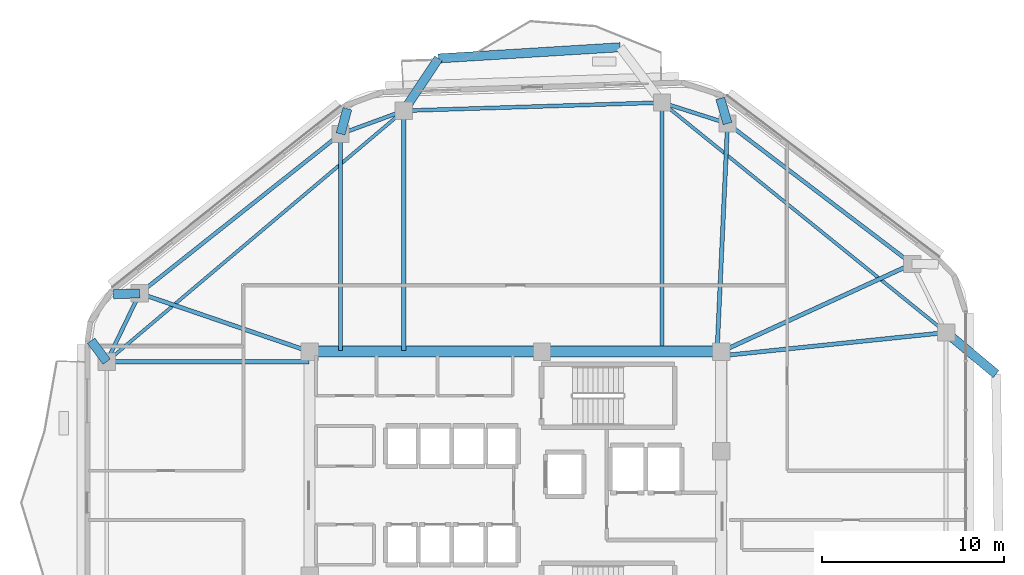
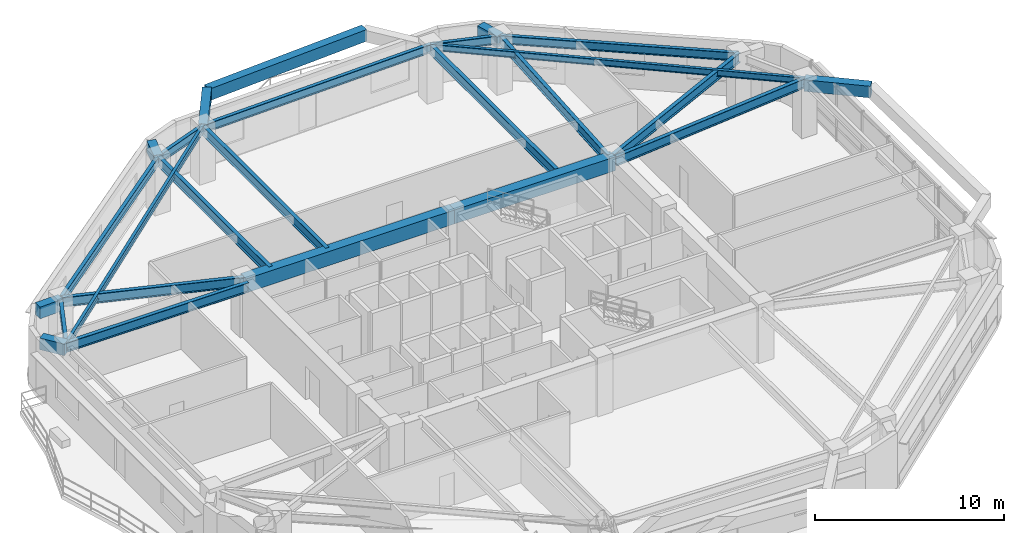
# One storey, part 5 of 14: 25 beams.
"""IFC4 building model written with IfcOpenShell, lengths in metres."""

from ifc_helpers import new_model, si_unit, direction, frame, origin, origin_2d, place, context, subcontext, project, spatial, rectangle, i_section, extrude, material, material_profile, profile_set, type_object, element, save


model = new_model("IFC4")

# Units and contexts
model_context = context("Model", 3, precision=1e-05, world=origin(), true_north=direction((0.0, 1.0)))
body_context = subcontext(model_context, "Body", "Model", "MODEL_VIEW")
ifc_project = project(units=[si_unit("LENGTHUNIT", "METRE"), si_unit("AREAUNIT", "SQUARE_METRE"), si_unit("VOLUMEUNIT", "CUBIC_METRE"), si_unit("PLANEANGLEUNIT", "RADIAN"), si_unit("MASSUNIT", "GRAM", prefix="KILO")], contexts=[model_context])

# Site, building, storey
site_placement = place(None, origin())
site = spatial("IfcSite", under=ifc_project, at=site_placement, CompositionType="ELEMENT")
building_placement = place(site_placement, origin())
building = spatial("IfcBuilding", under=site, at=building_placement, Name="Zulverin Broadcast Headquarters", CompositionType="ELEMENT")
storey_placement = place(building_placement, frame((0.0, 0.0, 178.199951171875)))
storey = spatial("IfcBuildingStorey", under=building, at=storey_placement, Name="L45", CompositionType="ELEMENT", Elevation=178.199951171875)

# Beams
ifc_material_1 = material(Name="Concrete C60/75", Category="concrete")
ifc_material_profile_1 = material_profile(ifc_material_1, rectangle(XDim=0.60009765625, YDim=0.89990234375, at=origin_2d()), Name="Concrete C60/75", Category="concrete")
ifc_profile_set_1 = profile_set([ifc_material_profile_1], Name="Concrete C60/75")
beam_type_1 = type_object("IfcBeamType", Name="BM-CB-600x900", PredefinedType="LINTEL", material=ifc_profile_set_1)
beam_1_placement = place(storey_placement, frame((48.27490234375, 33.074951171875, 3.090087890625), z_axis=(-1.0, 0.0, 0.0), x_axis=(0.0, -1.0, 0.0)))
element("IfcBeam", 1, at=beam_1_placement, inside=storey, type_object=beam_type_1, Name="L45 Core Coupling Girder K05-K06", PredefinedType="LINTEL", context=body_context, shape_type="SweptSolid", body=[
    extrude(rectangle(XDim=0.60009765625, YDim=0.89990234375, at=origin_2d()), origin(), (0.0, 0.0, 1.0), 9.824951171875),
])
beam_2_placement = place(storey_placement, frame((38.449951171875, 33.074951171875, 3.090087890625), z_axis=(-1.0, 0.0, 0.0), x_axis=(0.0, -1.0, 0.0)))
element("IfcBeam", 2, at=beam_2_placement, inside=storey, type_object=beam_type_1, Name="L45 Core Coupling Girder K06-K07", PredefinedType="LINTEL", context=body_context, shape_type="SweptSolid", body=[
    extrude(rectangle(XDim=0.60009765625, YDim=0.89990234375, at=origin_2d()), origin(), (0.0, 0.0, 1.0), 12.724853515625),
])
ifc_material_2 = material(Name="Concrete C40/50", Category="concrete")
ifc_material_profile_2 = material_profile(ifc_material_2, rectangle(XDim=0.5, YDim=0.75, at=origin_2d()), Name="Concrete C40/50", Category="concrete")
ifc_profile_set_2 = profile_set([ifc_material_profile_2], Name="Concrete C40/50")
beam_type_2 = type_object("IfcBeamType", Name="BM-RC-500x750", PredefinedType="BEAM", material=ifc_profile_set_2)
for number, where, z_axis, x_axis, name in (
    (3, (48.62158203125, 45.574951171875, 3.1650390625), (-0.28015077605, 0.959956010804, 0.0), (-0.959956010804, -0.28015077605, 0.0), "L46 Plate Overhang Back-Spanned Beam OVR-08"),
    (4, (27.416259765625, 45.00439453125, 3.1650390625), (0.260328526912, 0.965520097189, 0.0), (-0.965520097189, 0.260328526912, 0.0), "L46 Plate Overhang Back-Spanned Beam OVR-11"),
):
    element("IfcBeam", number, at=place(storey_placement, frame(where, z_axis=z_axis, x_axis=x_axis)), inside=storey, type_object=beam_type_2, Name=name, PredefinedType="BEAM", context=body_context, shape_type="SweptSolid", body=[
        extrude(rectangle(XDim=0.5, YDim=0.75, at=origin_2d()), origin(), (0.0, 0.0, 1.0), 1.43017578125),
    ])
for number, where, z_axis, x_axis, name in (
    (5, (16.40869140625, 36.26806640625, 3.1650390625), (-0.999411057508, -0.034315275463, 0.0), (0.034315275463, -0.999411057508, 0.0), "L46 Plate Overhang Back-Spanned Beam OVR-12"),
    (6, (14.60009765625, 32.523193359375, 3.1650390625), (-0.594467864193, 0.804119368279, 0.0), (-0.804119368279, -0.594467864193, 0.0), "L46 Plate Overhang Back-Spanned Beam OVR-13"),
):
    element("IfcBeam", number, at=place(storey_placement, frame(where, z_axis=z_axis, x_axis=x_axis)), inside=storey, type_object=beam_type_2, Name=name, PredefinedType="BEAM", context=body_context, shape_type="SweptSolid", body=[
        extrude(rectangle(XDim=0.5, YDim=0.75, at=origin_2d()), origin(), (0.0, 0.0, 1.0), 1.429931640625),
    ])
beam_3_placement = place(storey_placement, frame((60.60009765625, 34.12158203125, 3.1650390625), z_axis=(0.768429187848, -0.639934827356, 0.0), x_axis=(0.639934827356, 0.768429187848, 0.0)))
element("IfcBeam", 7, at=beam_3_placement, inside=storey, type_object=beam_type_2, Name="L46 Balcony Column-Framed Cantilever BAL_E-2", PredefinedType="BEAM", context=body_context, shape_type="SweptSolid", body=[
    extrude(rectangle(XDim=0.5, YDim=0.75, at=origin_2d()), origin(), (0.0, 0.0, 1.0), 3.560546875),
])
beam_4_placement = place(storey_placement, frame((30.882080078125, 46.27490234375, 3.1650390625), z_axis=(0.552025267535, 0.833827382618, 0.0), x_axis=(-0.833827382618, 0.552025267535, 0.0)))
element("IfcBeam", 8, at=beam_4_placement, inside=storey, type_object=beam_type_2, Name="L46 Balcony Column-Framed Cantilever BAL_N-2", PredefinedType="BEAM", context=body_context, shape_type="SweptSolid", body=[
    extrude(rectangle(XDim=0.5, YDim=0.75, at=origin_2d()), origin(), (0.0, 0.0, 1.0), 3.436767578125),
])
beam_5_placement = place(storey_placement, frame((42.7333984375, 49.7529296875, 3.1650390625), z_axis=(-0.998113439665, -0.06139675529, 0.0), x_axis=(0.06139675529, -0.998113439665, 0.0)))
element("IfcBeam", 9, at=beam_5_placement, inside=storey, type_object=beam_type_2, Name="L46 Balcony Outer Edge Trimmer Beam BAL_N", PredefinedType="BEAM", context=body_context, shape_type="SweptSolid", body=[
    extrude(rectangle(XDim=0.5, YDim=0.75, at=origin_2d()), origin(), (0.0, 0.0, 1.0), 9.972900390625),
])
ifc_material_3 = material(Name="Structural steel S355JR", Category="steel")
ifc_material_profile_3 = material_profile(ifc_material_3, i_section(OverallWidth=0.179443359375, OverallDepth=0.412841796875, WebThickness=0.009521484375, FlangeThickness=0.01611328125, at=origin_2d()), Name="Structural steel S355JR", Category="steel")
ifc_profile_set_3 = profile_set([ifc_material_profile_3], Name="Structural steel S355JR")
beam_type_3 = type_object("IfcBeamType", Name="BM-UB-406", PredefinedType="JOIST", material=ifc_profile_set_3)
beam_6_placement = place(storey_placement, frame((60.60009765625, 34.12158203125, 3.333740234375), z_axis=(-0.777349017335, 0.629069555175, 0.0), x_axis=(-0.629069555175, -0.777349017335, 0.0)))
element("IfcBeam", 10, at=beam_6_placement, inside=storey, type_object=beam_type_3, Name="L45 Chordal Floor Joist J-02", PredefinedType="JOIST", context=body_context, shape_type="SweptSolid", body=[
    extrude(i_section(OverallWidth=0.179443359375, OverallDepth=0.412841796875, WebThickness=0.009521484375, FlangeThickness=0.01611328125, at=origin_2d()), origin(), (0.0, 0.0, 1.0), 20.032958984375),
])
beam_7_placement = place(storey_placement, frame((30.882080078125, 46.27490234375, 3.333740234375), z_axis=(-0.763972566446, -0.645248725468, 0.0), x_axis=(0.645248725468, -0.763972566446, 0.0)))
element("IfcBeam", 11, at=beam_7_placement, inside=storey, type_object=beam_type_3, Name="L45 Chordal Floor Joist J-03", PredefinedType="JOIST", context=body_context, shape_type="SweptSolid", body=[
    extrude(i_section(OverallWidth=0.179443359375, OverallDepth=0.412841796875, WebThickness=0.009521484375, FlangeThickness=0.01611328125, at=origin_2d()), origin(), (0.0, 0.0, 1.0), 21.312255859375),
])
ifc_material_profile_4 = material_profile(ifc_material_3, i_section(OverallWidth=0.2119140625, OverallDepth=0.54443359375, WebThickness=0.0126953125, FlangeThickness=0.021240234375, at=origin_2d()), Name="Structural steel S355JR", Category="steel")
ifc_profile_set_4 = profile_set([ifc_material_profile_4], Name="Structural steel S355JR")
beam_type_4 = type_object("IfcBeamType", Name="BM-UB-533", PredefinedType="SPANDREL", material=ifc_profile_set_4)
beam_8_placement = place(storey_placement, frame((58.738037109375, 37.877685546875, 3.267822265625), z_axis=(-0.795830102505, 0.60551998146, 0.0), x_axis=(-0.60551998146, -0.795830102505, 0.0)))
element("IfcBeam", 12, at=beam_8_placement, inside=storey, type_object=beam_type_4, Name="L45 Perimeter Spandrel Beam SP-07", PredefinedType="SPANDREL", context=body_context, shape_type="SweptSolid", body=[
    extrude(i_section(OverallWidth=0.2119140625, OverallDepth=0.54443359375, WebThickness=0.0126953125, FlangeThickness=0.021240234375, at=origin_2d()), origin(), (0.0, 0.0, 1.0), 12.7119140625),
])
beam_9_placement = place(storey_placement, frame((48.62158203125, 45.574951171875, 3.267822265625), z_axis=(-0.952531523781, 0.304439971428, 0.0), x_axis=(-0.304439971428, -0.952531523781, 0.0)))
element("IfcBeam", 13, at=beam_9_placement, inside=storey, type_object=beam_type_4, Name="L45 Perimeter Spandrel Beam SP-08", PredefinedType="SPANDREL", context=body_context, shape_type="SweptSolid", body=[
    extrude(i_section(OverallWidth=0.2119140625, OverallDepth=0.54443359375, WebThickness=0.0126953125, FlangeThickness=0.021240234375, at=origin_2d()), origin(), (0.0, 0.0, 1.0), 3.773193359375),
])
beam_10_placement = place(storey_placement, frame((45.027587890625, 46.7236328125, 3.267822265625), z_axis=(-0.999497221833, -0.031706522156, 0.0), x_axis=(0.031706522156, -0.999497221833, 0.0)))
element("IfcBeam", 14, at=beam_10_placement, inside=storey, type_object=beam_type_4, Name="L45 Perimeter Spandrel Beam SP-09", PredefinedType="SPANDREL", context=body_context, shape_type="SweptSolid", body=[
    extrude(i_section(OverallWidth=0.2119140625, OverallDepth=0.54443359375, WebThickness=0.0126953125, FlangeThickness=0.021240234375, at=origin_2d()), origin(), (0.0, 0.0, 1.0), 14.152587890625),
])
beam_11_placement = place(storey_placement, frame((30.882080078125, 46.27490234375, 3.267822265625), z_axis=(-0.938901965426, -0.344184687805, 0.0), x_axis=(0.344184687805, -0.938901965426, 0.0)))
element("IfcBeam", 15, at=beam_11_placement, inside=storey, type_object=beam_type_4, Name="L45 Perimeter Spandrel Beam SP-10", PredefinedType="SPANDREL", context=body_context, shape_type="SweptSolid", body=[
    extrude(i_section(OverallWidth=0.2119140625, OverallDepth=0.54443359375, WebThickness=0.0126953125, FlangeThickness=0.021240234375, at=origin_2d()), origin(), (0.0, 0.0, 1.0), 3.69140625),
])
beam_12_placement = place(storey_placement, frame((27.416259765625, 45.00439453125, 3.267822265625), z_axis=(-0.783283263401, -0.621664965457, 0.0), x_axis=(0.621664965457, -0.783283263401, 0.0)))
element("IfcBeam", 16, at=beam_12_placement, inside=storey, type_object=beam_type_4, Name="L45 Perimeter Spandrel Beam SP-11", PredefinedType="SPANDREL", context=body_context, shape_type="SweptSolid", body=[
    extrude(i_section(OverallWidth=0.2119140625, OverallDepth=0.54443359375, WebThickness=0.0126953125, FlangeThickness=0.021240234375, at=origin_2d()), origin(), (0.0, 0.0, 1.0), 14.05322265625),
])
beam_13_placement = place(storey_placement, frame((16.40869140625, 36.26806640625, 3.267822265625), z_axis=(-0.434890248034, -0.900483465792, 0.0), x_axis=(0.900483465792, -0.434890248034, 0.0)))
element("IfcBeam", 17, at=beam_13_placement, inside=storey, type_object=beam_type_4, Name="L45 Perimeter Spandrel Beam SP-12", PredefinedType="SPANDREL", context=body_context, shape_type="SweptSolid", body=[
    extrude(i_section(OverallWidth=0.2119140625, OverallDepth=0.54443359375, WebThickness=0.0126953125, FlangeThickness=0.021240234375, at=origin_2d()), origin(), (0.0, 0.0, 1.0), 4.15869140625),
])
ifc_material_profile_5 = material_profile(ifc_material_3, i_section(OverallWidth=0.230224609375, OverallDepth=0.6171875, WebThickness=0.01318359375, FlangeThickness=0.022216796875, at=origin_2d()), Name="Structural steel S355JR", Category="steel")
ifc_profile_set_5 = profile_set([ifc_material_profile_5], Name="Structural steel S355JR")
beam_type_5 = type_object("IfcBeamType", Name="BM-UB-610", PredefinedType="BEAM", material=ifc_profile_set_5)
beam_14_placement = place(storey_placement, frame((48.324951171875, 32.85009765625, 3.2314453125), z_axis=(0.994678169641, 0.103030766473, 0.0), x_axis=(-0.103030766473, 0.994678169641, 0.0)))
element("IfcBeam", 18, at=beam_14_placement, inside=storey, type_object=beam_type_5, Name="L45 Radial Primary Floor Beam RB-06", PredefinedType="BEAM", context=body_context, shape_type="SweptSolid", body=[
    extrude(i_section(OverallWidth=0.230224609375, OverallDepth=0.6171875, WebThickness=0.01318359375, FlangeThickness=0.022216796875, at=origin_2d()), origin(), (0.0, 0.0, 1.0), 12.3408203125),
])
beam_15_placement = place(storey_placement, frame((48.27490234375, 33.074951171875, 3.2314453125), z_axis=(0.90883007293, 0.417166511764, 0.0), x_axis=(-0.417166511764, 0.90883007293, 0.0)))
element("IfcBeam", 19, at=beam_15_placement, inside=storey, type_object=beam_type_5, Name="L45 Radial Primary Floor Beam RB-07", PredefinedType="BEAM", context=body_context, shape_type="SweptSolid", body=[
    extrude(i_section(OverallWidth=0.230224609375, OverallDepth=0.6171875, WebThickness=0.01318359375, FlangeThickness=0.022216796875, at=origin_2d()), origin(), (0.0, 0.0, 1.0), 11.5126953125),
])
beam_16_placement = place(storey_placement, frame((48.050048828125, 33.125, 3.2314453125), z_axis=(0.045858166026, 0.998947960911, 0.0), x_axis=(-0.998947960911, 0.045858166026, 0.0)))
element("IfcBeam", 20, at=beam_16_placement, inside=storey, type_object=beam_type_5, Name="L45 Radial Primary Floor Beam RB-08", PredefinedType="BEAM", context=body_context, shape_type="SweptSolid", body=[
    extrude(i_section(OverallWidth=0.230224609375, OverallDepth=0.6171875, WebThickness=0.01318359375, FlangeThickness=0.022216796875, at=origin_2d()), origin(), (0.0, 0.0, 1.0), 12.463134765625),
])
beam_17_placement = place(storey_placement, frame((45.027587890625, 33.125, 3.2314453125), z_axis=(0.0, 1.0, 0.0), x_axis=(-1.0, 0.0, 0.0)))
element("IfcBeam", 21, at=beam_17_placement, inside=storey, type_object=beam_type_5, Name="L45 Radial Primary Floor Beam RB-09", PredefinedType="BEAM", context=body_context, shape_type="SweptSolid", body=[
    extrude(i_section(OverallWidth=0.230224609375, OverallDepth=0.6171875, WebThickness=0.01318359375, FlangeThickness=0.022216796875, at=origin_2d()), origin(), (0.0, 0.0, 1.0), 13.5986328125),
])
beam_18_placement = place(storey_placement, frame((30.882080078125, 33.125, 3.2314453125), z_axis=(0.0, 1.0, 0.0), x_axis=(-1.0, 0.0, 0.0)))
element("IfcBeam", 22, at=beam_18_placement, inside=storey, type_object=beam_type_5, Name="L45 Radial Primary Floor Beam RB-10", PredefinedType="BEAM", context=body_context, shape_type="SweptSolid", body=[
    extrude(i_section(OverallWidth=0.230224609375, OverallDepth=0.6171875, WebThickness=0.01318359375, FlangeThickness=0.022216796875, at=origin_2d()), origin(), (0.0, 0.0, 1.0), 13.14990234375),
])
beam_19_placement = place(storey_placement, frame((27.416259765625, 33.125, 3.2314453125), z_axis=(0.0, 1.0, 0.0), x_axis=(-1.0, 0.0, 0.0)))
element("IfcBeam", 23, at=beam_19_placement, inside=storey, type_object=beam_type_5, Name="L45 Radial Primary Floor Beam RB-11", PredefinedType="BEAM", context=body_context, shape_type="SweptSolid", body=[
    extrude(i_section(OverallWidth=0.230224609375, OverallDepth=0.6171875, WebThickness=0.01318359375, FlangeThickness=0.022216796875, at=origin_2d()), origin(), (0.0, 0.0, 1.0), 11.87939453125),
])
beam_20_placement = place(storey_placement, frame((25.72509765625, 33.074951171875, 3.2314453125), z_axis=(-0.945979621685, 0.324226086793, 0.0), x_axis=(-0.324226086793, -0.945979621685, 0.0)))
element("IfcBeam", 24, at=beam_20_placement, inside=storey, type_object=beam_type_5, Name="L45 Radial Primary Floor Beam RB-12", PredefinedType="BEAM", context=body_context, shape_type="SweptSolid", body=[
    extrude(i_section(OverallWidth=0.230224609375, OverallDepth=0.6171875, WebThickness=0.01318359375, FlangeThickness=0.022216796875, at=origin_2d()), origin(), (0.0, 0.0, 1.0), 9.848388671875),
])
beam_21_placement = place(storey_placement, frame((25.675048828125, 32.523193359375, 3.2314453125), z_axis=(-1.0, 0.0, 0.0), x_axis=(0.0, -1.0, 0.0)))
element("IfcBeam", 25, at=beam_21_placement, inside=storey, type_object=beam_type_5, Name="L45 Radial Primary Floor Beam RB-13", PredefinedType="BEAM", context=body_context, shape_type="SweptSolid", body=[
    extrude(i_section(OverallWidth=0.230224609375, OverallDepth=0.6171875, WebThickness=0.01318359375, FlangeThickness=0.022216796875, at=origin_2d()), origin(), (0.0, 0.0, 1.0), 11.074951171875),
])

save(model, "model.ifc")
